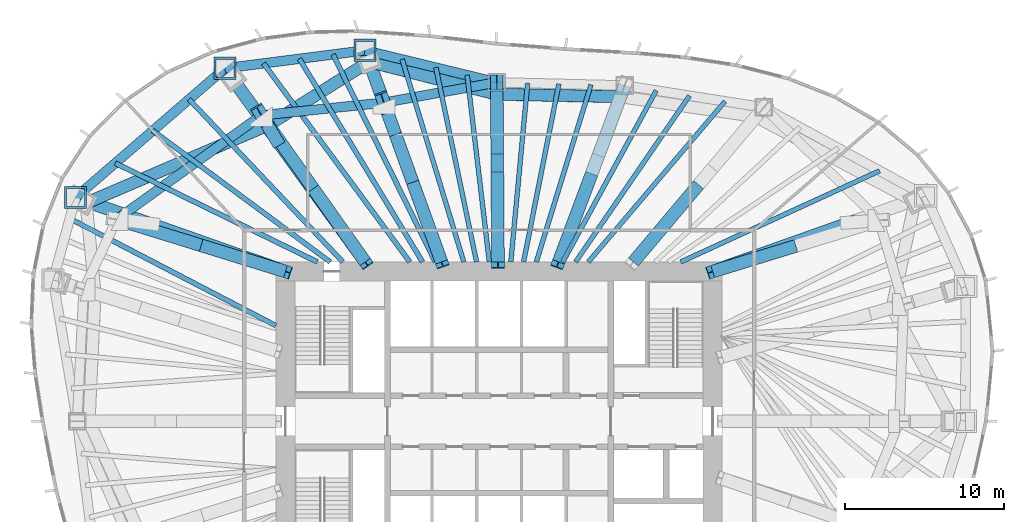
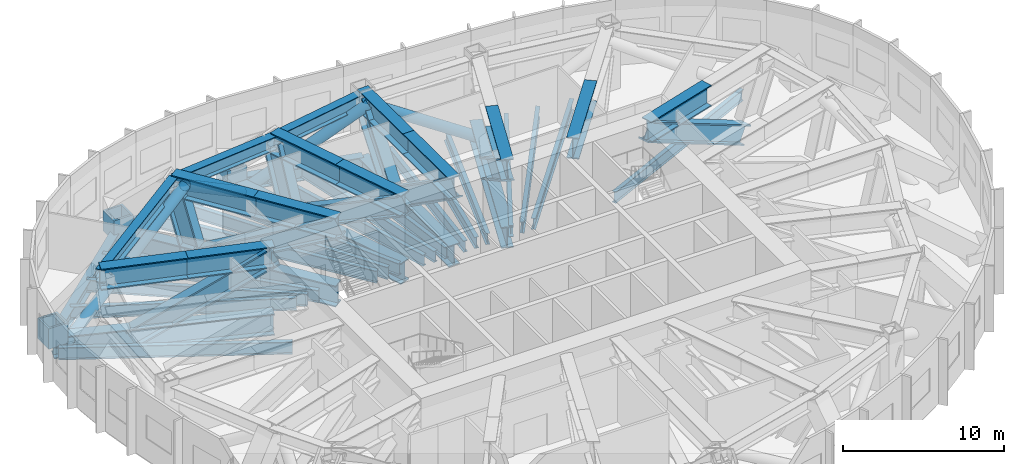
# One storey, part 4 of 12: 35 members, 20 beams.
"""IFC4 building model written with IfcOpenShell, lengths in metres."""

from ifc_helpers import new_model, si_unit, direction, frame, origin, origin_2d, place, context, subcontext, project, spatial, hollow_rectangle, hollow_circle, i_section, extrude, material, material_profile, profile_set, type_object, element, save


model = new_model("IFC4")

# Units and contexts
model_context = context("Model", 3, precision=1e-05, world=origin(), true_north=direction((0.0, 1.0)))
body_context = subcontext(model_context, "Body", "Model", "MODEL_VIEW")
ifc_project = project(units=[si_unit("LENGTHUNIT", "METRE"), si_unit("AREAUNIT", "SQUARE_METRE"), si_unit("VOLUMEUNIT", "CUBIC_METRE"), si_unit("PLANEANGLEUNIT", "RADIAN"), si_unit("MASSUNIT", "GRAM", prefix="KILO")], contexts=[model_context])

# Site, building, storey
site_placement = place(None, origin())
site = spatial("IfcSite", under=ifc_project, at=site_placement, CompositionType="ELEMENT")
building_placement = place(site_placement, origin())
building = spatial("IfcBuilding", under=site, at=building_placement, Name="Ghaith Harvest Tower", CompositionType="ELEMENT")
storey_placement = place(building_placement, frame((0.0, 0.0, 189.800048828125)))
storey = spatial("IfcBuildingStorey", under=building, at=storey_placement, Name="L41", CompositionType="ELEMENT", Elevation=189.800048828125)

# Members
ifc_material_1 = material(Name="Steel S460", Category="steel")
ifc_material_profile_1 = material_profile(ifc_material_1, i_section(OverallWidth=0.60009765625, OverallDepth=1.0, WebThickness=0.02490234375, FlangeThickness=0.050048828125, at=origin_2d()), Name="PG1000X600X25X50")
ifc_profile_set_1 = profile_set([ifc_material_profile_1], Name="Steel S460")
member_type_1 = type_object("IfcMemberType", Name="BCPG1000-600-25-50 PG1000X600X25X50", PredefinedType="CHORD", material=ifc_profile_set_1)
member_1_placement = place(storey_placement, frame((-0.14599609375, 21.27099609375, 4.030029296875), z_axis=(-0.984177047684, -0.177187863051, 0.0), x_axis=(0.177187863051, -0.984177047684, 0.0)))
element("IfcMember", 1, at=member_1_placement, inside=storey, type_object=member_type_1, Name="Belt truss BT06 top chord", PredefinedType="CHORD", context=body_context, shape_type="SweptSolid", body=[
    extrude(i_section(OverallWidth=0.60009765625, OverallDepth=1.0, WebThickness=0.02490234375, FlangeThickness=0.050048828125, at=origin_2d()), origin(), (0.0, 0.0, 1.0), 7.189697265625),
])
member_2_placement = place(storey_placement, frame((-7.221923828125, 19.9970703125, 4.030029296875), z_axis=(-0.994669141618, -0.103117887451, 0.0), x_axis=(0.103117887451, -0.994669141618, 0.0)))
element("IfcMember", 2, at=member_2_placement, inside=storey, type_object=member_type_1, Name="Belt truss BT07 top chord", PredefinedType="CHORD", context=body_context, shape_type="SweptSolid", body=[
    extrude(i_section(OverallWidth=0.60009765625, OverallDepth=1.0, WebThickness=0.02490234375, FlangeThickness=0.050048828125, at=origin_2d()), origin(), (0.0, 0.0, 1.0), 7.730224609375),
])
member_3_placement = place(storey_placement, frame((-14.910888671875, 19.199951171875, 4.030029296875), z_axis=(-0.812050311838, -0.583587432219, 0.0), x_axis=(0.583587432219, -0.812050311838, 0.0)))
element("IfcMember", 3, at=member_3_placement, inside=storey, type_object=member_type_1, Name="Belt truss BT08 top chord", PredefinedType="CHORD", context=body_context, shape_type="SweptSolid", body=[
    extrude(i_section(OverallWidth=0.60009765625, OverallDepth=1.0, WebThickness=0.02490234375, FlangeThickness=0.050048828125, at=origin_2d()), origin(), (0.0, 0.0, 1.0), 11.175537109375),
])
ifc_material_2 = material(Name="Steel ASTM A992 Grade 50", Category="steel")
ifc_material_profile_2 = material_profile(ifc_material_2, hollow_circle(Radius=0.381103515625, WallThickness=0.01904296875, at=origin_2d()), Name="HSS762X19.1")
ifc_profile_set_2 = profile_set([ifc_material_profile_2], Name="Steel ASTM A992 Grade 50")
member_type_2 = type_object("IfcMemberType", Name="BD762 HSS762X19.1", PredefinedType="BRACE", material=ifc_profile_set_2)
member_4_placement = place(storey_placement, frame((7.615478515625, 20.369384765625, -1.10009765625), z_axis=(-0.833957459062, 0.016301151466, 0.551587915872), x_axis=(-0.019543009117, -0.99980901716, 0.0)))
element("IfcMember", 4, at=member_4_placement, inside=storey, type_object=member_type_2, Name="Belt truss BT05 diagonal", PredefinedType="BRACE", context=body_context, shape_type="SweptSolid", body=[
    extrude(hollow_circle(Radius=0.381103515625, WallThickness=0.01904296875, at=origin_2d()), origin(), (0.0, 0.0, 1.0), 9.300537109375),
])
member_5_placement = place(storey_placement, frame((-0.140869140625, 20.52099609375, 4.030029296875), z_axis=(-0.823241364278, 0.210614714851, -0.527176534028), x_axis=(-0.247853227276, -0.968797593788, 0.0)))
element("IfcMember", 5, at=member_5_placement, inside=storey, type_object=member_type_2, Name="Belt truss BT06 diagonal", PredefinedType="BRACE", context=body_context, shape_type="SweptSolid", body=[
    extrude(hollow_circle(Radius=0.381103515625, WallThickness=0.01904296875, at=origin_2d()), origin(), (0.0, 0.0, 1.0), 9.7314453125),
])
member_6_placement = place(storey_placement, frame((-8.152099609375, 22.570556640625, -1.10009765625), z_axis=(-0.696873907541, -0.438436328186, 0.567574086014), x_axis=(0.532520876599, -0.846416868916, 0.0)))
element("IfcMember", 6, at=member_6_placement, inside=storey, type_object=member_type_2, Name="Belt truss BT07 diagonal", PredefinedType="BRACE", context=body_context, shape_type="SweptSolid", body=[
    extrude(hollow_circle(Radius=0.381103515625, WallThickness=0.01904296875, at=origin_2d()), origin(), (0.0, 0.0, 1.0), 9.03857421875),
])
member_7_placement = place(storey_placement, frame((-14.450927734375, 18.607666015625, 4.030029296875), z_axis=(-0.849967916465, -0.364354748579, -0.380526159636), x_axis=(0.393994925256, -0.919112614902, 0.0)))
element("IfcMember", 7, at=member_7_placement, inside=storey, type_object=member_type_2, Name="Belt truss BT08 diagonal", PredefinedType="BRACE", context=body_context, shape_type="SweptSolid", body=[
    extrude(hollow_circle(Radius=0.381103515625, WallThickness=0.01904296875, at=origin_2d()), origin(), (0.0, 0.0, 1.0), 13.481689453125),
])

# Beams
ifc_material_3 = material(Name="Steel S460", Category="steel")
ifc_material_profile_3 = material_profile(ifc_material_3, i_section(OverallWidth=0.60009765625, OverallDepth=1.0, WebThickness=0.02490234375, FlangeThickness=0.050048828125, at=origin_2d()), Name="PG1000X600X25X50")
ifc_profile_set_3 = profile_set([ifc_material_profile_3], Name="Steel S460")
beam_type_1 = type_object("IfcBeamType", Name="EPG1000 PG1000X600X25X50", PredefinedType="SPANDREL", material=ifc_profile_set_3)
beam_1_placement = place(storey_placement, frame((-0.14599609375, 21.27099609375, -0.800048828125), z_axis=(-0.971790293477, 0.235846614358, 0.0), x_axis=(-0.235846614358, -0.971790293477, 0.0)))
element("IfcBeam", 8, at=beam_1_placement, inside=storey, type_object=beam_type_1, Name="Edge beam E06 L41", PredefinedType="SPANDREL", context=body_context, shape_type="SweptSolid", body=[
    extrude(i_section(OverallWidth=0.60009765625, OverallDepth=1.0, WebThickness=0.02490234375, FlangeThickness=0.050048828125, at=origin_2d()), origin(), (0.0, 0.0, 1.0), 8.500732421875),
])
beam_2_placement = place(storey_placement, frame((-8.406982421875, 23.27587890625, -0.800048828125), z_axis=(-0.991904090065, -0.126989275577, 0.0), x_axis=(0.126989275577, -0.991904090065, 0.0)))
element("IfcBeam", 9, at=beam_2_placement, inside=storey, type_object=beam_type_1, Name="Edge beam E07 L41", PredefinedType="SPANDREL", context=body_context, shape_type="SweptSolid", body=[
    extrude(i_section(OverallWidth=0.60009765625, OverallDepth=1.0, WebThickness=0.02490234375, FlangeThickness=0.050048828125, at=origin_2d()), origin(), (0.0, 0.0, 1.0), 8.86669921875),
])
beam_3_placement = place(storey_placement, frame((-17.201904296875, 22.14990234375, -0.800048828125), z_axis=(-0.756392158274, -0.654118416574, 0.0), x_axis=(0.654118416574, -0.756392158274, 0.0)))
element("IfcBeam", 10, at=beam_3_placement, inside=storey, type_object=beam_type_1, Name="Edge beam E08 L41", PredefinedType="SPANDREL", context=body_context, shape_type="SweptSolid", body=[
    extrude(i_section(OverallWidth=0.60009765625, OverallDepth=1.0, WebThickness=0.02490234375, FlangeThickness=0.050048828125, at=origin_2d()), origin(), (0.0, 0.0, 1.0), 12.38916015625),
])
ifc_material_4 = material(Name="Steel ASTM A992 Grade 50", Category="steel")
ifc_material_profile_4 = material_profile(ifc_material_4, i_section(OverallWidth=0.2939453125, OverallDepth=0.85107421875, WebThickness=0.01611328125, FlangeThickness=0.02685546875, at=origin_2d()), Name="W840X226")
ifc_profile_set_4 = profile_set([ifc_material_profile_4], Name="Steel ASTM A992 Grade 50")
beam_type_2 = type_object("IfcBeamType", Name="J840-226 W840X226", PredefinedType="JOIST", material=ifc_profile_set_4)
beam_4_placement = place(storey_placement, frame((11.39990234375, 10.0, -0.7255859375), z_axis=(0.909014022454, 0.416765529983, 0.0), x_axis=(-0.416765529983, 0.909014022454, 0.0)))
element("IfcBeam", 11, at=beam_4_placement, inside=storey, type_object=beam_type_2, Name="Joist J03.1 L41", PredefinedType="JOIST", context=body_context, shape_type="SweptSolid", body=[
    extrude(i_section(OverallWidth=0.2939453125, OverallDepth=0.85107421875, WebThickness=0.01611328125, FlangeThickness=0.02685546875, at=origin_2d()), origin(), (0.0, 0.0, 1.0), 13.72998046875),
])
beam_5_placement = place(storey_placement, frame((5.60009765625, 10.0, -0.7255859375), z_axis=(0.648194422444, 0.761474878582, 0.0), x_axis=(-0.761474878582, 0.648194422444, 0.0)))
element("IfcBeam", 12, at=beam_5_placement, inside=storey, type_object=beam_type_2, Name="Joist J04.1 L41", PredefinedType="JOIST", context=body_context, shape_type="SweptSolid", body=[
    extrude(i_section(OverallWidth=0.2939453125, OverallDepth=0.85107421875, WebThickness=0.01611328125, FlangeThickness=0.02685546875, at=origin_2d()), origin(), (0.0, 0.0, 1.0), 13.235107421875),
])
beam_6_placement = place(storey_placement, frame((4.800048828125, 10.0, -0.7255859375), z_axis=(0.565277671826, 0.824900693256, 0.0), x_axis=(-0.824900693256, 0.565277671826, 0.0)))
element("IfcBeam", 13, at=beam_6_placement, inside=storey, type_object=beam_type_2, Name="Joist J04.2 L41", PredefinedType="JOIST", context=body_context, shape_type="SweptSolid", body=[
    extrude(i_section(OverallWidth=0.2939453125, OverallDepth=0.85107421875, WebThickness=0.01611328125, FlangeThickness=0.02685546875, at=origin_2d()), origin(), (0.0, 0.0, 1.0), 12.64404296875),
])
beam_7_placement = place(storey_placement, frame((4.0, 10.0, -0.7255859375), z_axis=(0.478357824489, 0.878165013964, 0.0), x_axis=(-0.878165013964, 0.478357824489, 0.0)))
element("IfcBeam", 14, at=beam_7_placement, inside=storey, type_object=beam_type_2, Name="Joist J04.3 L41", PredefinedType="JOIST", context=body_context, shape_type="SweptSolid", body=[
    extrude(i_section(OverallWidth=0.2939453125, OverallDepth=0.85107421875, WebThickness=0.01611328125, FlangeThickness=0.02685546875, at=origin_2d()), origin(), (0.0, 0.0, 1.0), 12.251953125),
])
beam_8_placement = place(storey_placement, frame((2.33837890625, 10.0, -0.7255859375), z_axis=(0.294698851552, 0.955590177269, 0.0), x_axis=(-0.955590177269, 0.294698851552, 0.0)))
element("IfcBeam", 15, at=beam_8_placement, inside=storey, type_object=beam_type_2, Name="Joist J05.1 L41", PredefinedType="JOIST", context=body_context, shape_type="SweptSolid", body=[
    extrude(i_section(OverallWidth=0.2939453125, OverallDepth=0.85107421875, WebThickness=0.01611328125, FlangeThickness=0.02685546875, at=origin_2d()), origin(), (0.0, 0.0, 1.0), 11.641357421875),
])
beam_9_placement = place(storey_placement, frame((1.538330078125, 10.0, -0.7255859375), z_axis=(0.194467299131, 0.980909001676, 0.0), x_axis=(-0.980909001676, 0.194467299131, 0.0)))
element("IfcBeam", 16, at=beam_9_placement, inside=storey, type_object=beam_type_2, Name="Joist J05.2 L41", PredefinedType="JOIST", context=body_context, shape_type="SweptSolid", body=[
    extrude(i_section(OverallWidth=0.2939453125, OverallDepth=0.85107421875, WebThickness=0.01611328125, FlangeThickness=0.02685546875, at=origin_2d()), origin(), (0.0, 0.0, 1.0), 11.391845703125),
])
beam_10_placement = place(storey_placement, frame((0.73828125, 10.0, -0.7255859375), z_axis=(0.093607062293, 0.995609219468, 0.0), x_axis=(-0.995609219468, 0.093607062293, 0.0)))
element("IfcBeam", 17, at=beam_10_placement, inside=storey, type_object=beam_type_2, Name="Joist J05.3 L41", PredefinedType="JOIST", context=body_context, shape_type="SweptSolid", body=[
    extrude(i_section(OverallWidth=0.2939453125, OverallDepth=0.85107421875, WebThickness=0.01611328125, FlangeThickness=0.02685546875, at=origin_2d()), origin(), (0.0, 0.0, 1.0), 11.2724609375),
])
beam_11_placement = place(storey_placement, frame((-0.61181640625, 10.0, -0.7255859375), z_axis=(-0.117555323743, 0.993066335075, 0.0), x_axis=(-0.993066335075, -0.117555323743, 0.0)))
element("IfcBeam", 18, at=beam_11_placement, inside=storey, type_object=beam_type_2, Name="Joist J06.1 L41", PredefinedType="JOIST", context=body_context, shape_type="SweptSolid", body=[
    extrude(i_section(OverallWidth=0.2939453125, OverallDepth=0.85107421875, WebThickness=0.01611328125, FlangeThickness=0.02685546875, at=origin_2d()), origin(), (0.0, 0.0, 1.0), 11.802490234375),
])
beam_12_placement = place(storey_placement, frame((-1.411865234375, 10.0, -0.7255859375), z_axis=(-0.204803792152, 0.978803047972, 0.0), x_axis=(-0.978803047972, -0.204803792152, 0.0)))
element("IfcBeam", 19, at=beam_12_placement, inside=storey, type_object=beam_type_2, Name="Joist J06.2 L41", PredefinedType="JOIST", context=body_context, shape_type="SweptSolid", body=[
    extrude(i_section(OverallWidth=0.2939453125, OverallDepth=0.85107421875, WebThickness=0.01611328125, FlangeThickness=0.02685546875, at=origin_2d()), origin(), (0.0, 0.0, 1.0), 12.4619140625),
])
beam_13_placement = place(storey_placement, frame((-2.2119140625, 10.0, -0.7255859375), z_axis=(-0.291271281248, 0.956640497115, 0.0), x_axis=(-0.956640497115, -0.291271281248, 0.0)))
element("IfcBeam", 20, at=beam_13_placement, inside=storey, type_object=beam_type_2, Name="Joist J06.3 L41", PredefinedType="JOIST", context=body_context, shape_type="SweptSolid", body=[
    extrude(i_section(OverallWidth=0.2939453125, OverallDepth=0.85107421875, WebThickness=0.01611328125, FlangeThickness=0.02685546875, at=origin_2d()), origin(), (0.0, 0.0, 1.0), 13.287841796875),
])
ifc_material_5 = material(Name="Steel ASTM A992 Grade 50", Category="steel")
ifc_material_profile_5 = material_profile(ifc_material_5, i_section(OverallWidth=0.31005859375, OverallDepth=0.927001953125, WebThickness=0.019287109375, FlangeThickness=0.031982421875, at=origin_2d()), Name="W920X289")
ifc_profile_set_5 = profile_set([ifc_material_profile_5], Name="Steel ASTM A992 Grade 50")
beam_type_3 = type_object("IfcBeamType", Name="J920-289 W920X289", PredefinedType="JOIST", material=ifc_profile_set_5)
beam_14_placement = place(storey_placement, frame((-4.0, 10.0, -0.763427734375), z_axis=(-0.442214455448, 0.896909346251, 0.0), x_axis=(-0.896909346251, -0.442214455448, 0.0)))
element("IfcBeam", 21, at=beam_14_placement, inside=storey, type_object=beam_type_3, Name="Joist J07.1 L41", PredefinedType="JOIST", context=body_context, shape_type="SweptSolid", body=[
    extrude(i_section(OverallWidth=0.31005859375, OverallDepth=0.927001953125, WebThickness=0.019287109375, FlangeThickness=0.031982421875, at=origin_2d()), origin(), (0.0, 0.0, 1.0), 14.514892578125),
])
beam_15_placement = place(storey_placement, frame((-4.800048828125, 10.0, -0.763427734375), z_axis=(-0.51847337083, 0.855093774822, 0.0), x_axis=(-0.855093774822, -0.51847337083, 0.0)))
element("IfcBeam", 22, at=beam_15_placement, inside=storey, type_object=beam_type_3, Name="Joist J07.2 L41", PredefinedType="JOIST", context=body_context, shape_type="SweptSolid", body=[
    extrude(i_section(OverallWidth=0.31005859375, OverallDepth=0.927001953125, WebThickness=0.019287109375, FlangeThickness=0.031982421875, at=origin_2d()), origin(), (0.0, 0.0, 1.0), 14.90869140625),
])
beam_16_placement = place(storey_placement, frame((-5.60009765625, 10.0, -0.763427734375), z_axis=(-0.592984827174, 0.805213632983, 0.0), x_axis=(-0.805213632983, -0.592984827174, 0.0)))
element("IfcBeam", 23, at=beam_16_placement, inside=storey, type_object=beam_type_3, Name="Joist J07.3 L41", PredefinedType="JOIST", context=body_context, shape_type="SweptSolid", body=[
    extrude(i_section(OverallWidth=0.31005859375, OverallDepth=0.927001953125, WebThickness=0.019287109375, FlangeThickness=0.031982421875, at=origin_2d()), origin(), (0.0, 0.0, 1.0), 15.474609375),
])
beam_17_placement = place(storey_placement, frame((-9.800048828125, 10.0, -0.763427734375), z_axis=(-0.687103155579, 0.726559876124, 0.0), x_axis=(-0.726559876124, -0.687103155579, 0.0)))
element("IfcBeam", 24, at=beam_17_placement, inside=storey, type_object=beam_type_3, Name="Joist J08.1 L41", PredefinedType="JOIST", context=body_context, shape_type="SweptSolid", body=[
    extrude(i_section(OverallWidth=0.31005859375, OverallDepth=0.927001953125, WebThickness=0.019287109375, FlangeThickness=0.031982421875, at=origin_2d()), origin(), (0.0, 0.0, 1.0), 14.045654296875),
])
beam_18_placement = place(storey_placement, frame((-10.60009765625, 10.0, -0.763427734375), z_axis=(-0.803663089107, 0.595084564752, 0.0), x_axis=(-0.595084564752, -0.803663089107, 0.0)))
element("IfcBeam", 25, at=beam_18_placement, inside=storey, type_object=beam_type_3, Name="Joist J08.2 L41", PredefinedType="JOIST", context=body_context, shape_type="SweptSolid", body=[
    extrude(i_section(OverallWidth=0.31005859375, OverallDepth=0.927001953125, WebThickness=0.019287109375, FlangeThickness=0.031982421875, at=origin_2d()), origin(), (0.0, 0.0, 1.0), 13.843505859375),
])
beam_19_placement = place(storey_placement, frame((-11.39990234375, 10.0, -0.763427734375), z_axis=(-0.898274832354, 0.439434096946, 0.0), x_axis=(-0.439434096946, -0.898274832354, 0.0)))
element("IfcBeam", 26, at=beam_19_placement, inside=storey, type_object=beam_type_3, Name="Joist J08.3 L41", PredefinedType="JOIST", context=body_context, shape_type="SweptSolid", body=[
    extrude(i_section(OverallWidth=0.31005859375, OverallDepth=0.927001953125, WebThickness=0.019287109375, FlangeThickness=0.031982421875, at=origin_2d()), origin(), (0.0, 0.0, 1.0), 14.114990234375),
])
beam_20_placement = place(storey_placement, frame((-14.0, 6.0, -0.763427734375), z_axis=(-0.887199250572, 0.461386486347, 0.0), x_axis=(-0.461386486347, -0.887199250572, 0.0)))
element("IfcBeam", 27, at=beam_20_placement, inside=storey, type_object=beam_type_3, Name="Joist J09.1 L41", PredefinedType="JOIST", context=body_context, shape_type="SweptSolid", body=[
    extrude(i_section(OverallWidth=0.31005859375, OverallDepth=0.927001953125, WebThickness=0.019287109375, FlangeThickness=0.031982421875, at=origin_2d()), origin(), (0.0, 0.0, 1.0), 14.576904296875),
])

# Members
ifc_material_6 = material(Name="Steel S690QL", Category="steel")
ifc_material_profile_6 = material_profile(ifc_material_6, hollow_rectangle(XDim=1.39990234375, YDim=1.39990234375, WallThickness=0.139892578125, at=origin_2d()), Name="BOX1400X1400X140")
ifc_profile_set_6 = profile_set([ifc_material_profile_6], Name="Steel S690QL")
member_type_3 = type_object("IfcMemberType", Name="KN2 BOX1400X1400X140", PredefinedType="USERDEFINED", material=ifc_profile_set_6)
for number, where, z_axis, x_axis, name in (
    (28, (-8.406982421875, 23.27587890625, -0.775146484375), (0.0, 0.0, 1.0), (1.0, 0.0, 0.0), "Raked column kink node C07 base L41"),
    (29, (-17.201904296875, 22.14990234375, -0.775146484375), (0.0, 0.0, 1.0), (1.0, 0.0, 0.0), "Raked column kink node C08 base L41"),
    (30, (-26.572998046875, 14.0458984375, -0.775146484375), (0.0, 0.0, 1.0), (1.0, 0.0, 0.0), "Raked column kink node C09 base L41"),
):
    element("IfcMember", number, at=place(storey_placement, frame(where, z_axis=z_axis, x_axis=x_axis)), inside=storey, type_object=member_type_3, Name=name, ObjectType="KINK NODE", PredefinedType="USERDEFINED", context=body_context, shape_type="SweptSolid", body=[
        extrude(hollow_rectangle(XDim=1.39990234375, YDim=1.39990234375, WallThickness=0.139892578125, at=origin_2d()), origin(), (0.0, 0.0, 1.0), 1.550048828125),
    ])
ifc_material_7 = material(Name="Steel S460", Category="steel")
ifc_material_profile_7 = material_profile(ifc_material_7, i_section(OverallWidth=0.800048828125, OverallDepth=1.60009765625, WebThickness=0.0400390625, FlangeThickness=0.080078125, at=origin_2d()), Name="PG1600X800X40X80")
ifc_profile_set_7 = profile_set([ifc_material_profile_7], Name="Steel S460")
member_type_4 = type_object("IfcMemberType", Name="OC1600 PG1600X800X40X80", PredefinedType="CHORD", material=ifc_profile_set_7)
member_8_placement = place(storey_placement, frame((13.39990234375, 9.39990234375, 4.030029296875), z_axis=(0.956010465619, 0.293332558076, 0.0), x_axis=(-0.293332558076, 0.956010465619, 0.0)))
element("IfcMember", 31, at=member_8_placement, inside=storey, type_object=member_type_4, Name="Outrigger truss OT03 top chord 1", PredefinedType="CHORD", context=body_context, shape_type="SweptSolid", body=[
    extrude(i_section(OverallWidth=0.800048828125, OverallDepth=1.60009765625, WebThickness=0.0400390625, FlangeThickness=0.080078125, at=origin_2d()), origin(), (0.0, 0.0, 1.0), 5.466552734375),
])
member_9_placement = place(storey_placement, frame((8.4326171875, 10.0, 4.030029296875), z_axis=(0.644676234282, 0.764455723343, 0.0), x_axis=(-0.764455723343, 0.644676234282, 0.0)))
element("IfcMember", 32, at=member_9_placement, inside=storey, type_object=member_type_4, Name="Outrigger truss OT04 top chord 1", PredefinedType="CHORD", context=body_context, shape_type="SweptSolid", body=[
    extrude(i_section(OverallWidth=0.800048828125, OverallDepth=1.60009765625, WebThickness=0.0400390625, FlangeThickness=0.080078125, at=origin_2d()), origin(), (0.0, 0.0, 1.0), 6.341064453125),
])
member_10_placement = place(storey_placement, frame((3.73828125, 10.0, -1.10009765625), z_axis=(0.350206582147, 0.936672488024, 0.0), x_axis=(-0.936672488024, 0.350206582147, 0.0)))
element("IfcMember", 33, at=member_10_placement, inside=storey, type_object=member_type_4, Name="Outrigger truss OT05 bottom chord", PredefinedType="CHORD", context=body_context, shape_type="SweptSolid", body=[
    extrude(i_section(OverallWidth=0.800048828125, OverallDepth=1.60009765625, WebThickness=0.0400390625, FlangeThickness=0.080078125, at=origin_2d()), origin(), (0.0, 0.0, 1.0), 11.820556640625),
])
member_11_placement = place(storey_placement, frame((3.73828125, 10.0, 4.030029296875), z_axis=(0.350213357326, 0.936669954867, 0.0), x_axis=(-0.936669954867, 0.350213357326, 0.0)))
element("IfcMember", 34, at=member_11_placement, inside=storey, type_object=member_type_4, Name="Outrigger truss OT05 top chord 1", PredefinedType="CHORD", context=body_context, shape_type="SweptSolid", body=[
    extrude(i_section(OverallWidth=0.800048828125, OverallDepth=1.60009765625, WebThickness=0.0400390625, FlangeThickness=0.080078125, at=origin_2d()), origin(), (0.0, 0.0, 1.0), 5.91015625),
])
member_12_placement = place(storey_placement, frame((-0.068359375, 10.0, -1.10009765625), z_axis=(-0.006888022705, 0.99997627729, 0.0), x_axis=(-0.99997627729, -0.006888022705, 0.0)))
element("IfcMember", 35, at=member_12_placement, inside=storey, type_object=member_type_4, Name="Outrigger truss OT06 bottom chord", PredefinedType="CHORD", context=body_context, shape_type="SweptSolid", body=[
    extrude(i_section(OverallWidth=0.800048828125, OverallDepth=1.60009765625, WebThickness=0.0400390625, FlangeThickness=0.080078125, at=origin_2d()), origin(), (0.0, 0.0, 1.0), 11.271240234375),
])
for number, where, z_axis, x_axis, name in (
    (36, (-0.068359375, 10.0, 4.030029296875), (-0.006888022705, 0.99997627729, 0.0), (-0.99997627729, -0.006888022705, 0.0), "Outrigger truss OT06 top chord 1"),
    (37, (-0.107177734375, 15.635498046875, 4.030029296875), (-0.006888022705, 0.99997627729, 0.0), (-0.99997627729, -0.006888022705, 0.0), "Outrigger truss OT06 top chord 2"),
):
    element("IfcMember", number, at=place(storey_placement, frame(where, z_axis=z_axis, x_axis=x_axis)), inside=storey, type_object=member_type_4, Name=name, PredefinedType="CHORD", context=body_context, shape_type="SweptSolid", body=[
        extrude(i_section(OverallWidth=0.800048828125, OverallDepth=1.60009765625, WebThickness=0.0400390625, FlangeThickness=0.080078125, at=origin_2d()), origin(), (0.0, 0.0, 1.0), 5.6357421875),
    ])
member_13_placement = place(storey_placement, frame((-3.61181640625, 10.0, -1.10009765625), z_axis=(-0.339713316819, 0.940529033245, 0.0), x_axis=(-0.940529033245, -0.339713316819, 0.0)))
element("IfcMember", 38, at=member_13_placement, inside=storey, type_object=member_type_4, Name="Outrigger truss OT07 bottom chord", PredefinedType="CHORD", context=body_context, shape_type="SweptSolid", body=[
    extrude(i_section(OverallWidth=0.800048828125, OverallDepth=1.60009765625, WebThickness=0.0400390625, FlangeThickness=0.080078125, at=origin_2d()), origin(), (0.0, 0.0, 1.0), 14.115234375),
])
for number, where, z_axis, x_axis, name in (
    (39, (-3.61181640625, 10.0, 4.030029296875), (-0.339669298673, 0.940544931164, 0.0), (-0.940544931164, -0.339669298673, 0.0), "Outrigger truss OT07 top chord 1"),
    (40, (-5.4169921875, 14.99853515625, 4.030029296875), (-0.339628659383, 0.940559606684, 0.0), (-0.940559606684, -0.339628659383, 0.0), "Outrigger truss OT07 top chord 2"),
):
    element("IfcMember", number, at=place(storey_placement, frame(where, z_axis=z_axis, x_axis=x_axis)), inside=storey, type_object=member_type_4, Name=name, PredefinedType="CHORD", context=body_context, shape_type="SweptSolid", body=[
        extrude(i_section(OverallWidth=0.800048828125, OverallDepth=1.60009765625, WebThickness=0.0400390625, FlangeThickness=0.080078125, at=origin_2d()), origin(), (0.0, 0.0, 1.0), 5.314453125),
    ])
member_14_placement = place(storey_placement, frame((-8.39990234375, 10.0, -1.10009765625), z_axis=(-0.586675813287, 0.809821887889, 0.0), x_axis=(-0.809821887889, -0.586675813287, 0.0)))
element("IfcMember", 41, at=member_14_placement, inside=storey, type_object=member_type_4, Name="Outrigger truss OT08 bottom chord", PredefinedType="CHORD", context=body_context, shape_type="SweptSolid", body=[
    extrude(i_section(OverallWidth=0.800048828125, OverallDepth=1.60009765625, WebThickness=0.0400390625, FlangeThickness=0.080078125, at=origin_2d()), origin(), (0.0, 0.0, 1.0), 15.003173828125),
])
member_15_placement = place(storey_placement, frame((-8.39990234375, 10.0, 4.030029296875), z_axis=(-0.577687952562, 0.816257697951, 0.0), x_axis=(-0.816257697951, -0.577687952562, 0.0)))
element("IfcMember", 42, at=member_15_placement, inside=storey, type_object=member_type_4, Name="Outrigger truss OT08 top chord 1", PredefinedType="CHORD", context=body_context, shape_type="SweptSolid", body=[
    extrude(i_section(OverallWidth=0.800048828125, OverallDepth=1.60009765625, WebThickness=0.0400390625, FlangeThickness=0.080078125, at=origin_2d()), origin(), (0.0, 0.0, 1.0), 5.635498046875),
])
member_16_placement = place(storey_placement, frame((-11.655517578125, 14.60009765625, 4.030029296875), z_axis=(-0.577679515898, 0.816263668744, 0.0), x_axis=(-0.816263668744, -0.577679515898, 0.0)))
element("IfcMember", 43, at=member_16_placement, inside=storey, type_object=member_type_4, Name="Outrigger truss OT08 top chord 2", PredefinedType="CHORD", context=body_context, shape_type="SweptSolid", body=[
    extrude(i_section(OverallWidth=0.800048828125, OverallDepth=1.60009765625, WebThickness=0.0400390625, FlangeThickness=0.080078125, at=origin_2d()), origin(), (0.0, 0.0, 1.0), 5.63525390625),
])
member_17_placement = place(storey_placement, frame((-13.39990234375, 9.39990234375, -1.10009765625), z_axis=(-0.943065169723, 0.332608006001, 0.0), x_axis=(-0.332608006001, -0.943065169723, 0.0)))
element("IfcMember", 44, at=member_17_placement, inside=storey, type_object=member_type_4, Name="Outrigger truss OT09 bottom chord", PredefinedType="CHORD", context=body_context, shape_type="SweptSolid", body=[
    extrude(i_section(OverallWidth=0.800048828125, OverallDepth=1.60009765625, WebThickness=0.0400390625, FlangeThickness=0.080078125, at=origin_2d()), origin(), (0.0, 0.0, 1.0), 13.96826171875),
])
member_18_placement = place(storey_placement, frame((-13.39990234375, 9.39990234375, 4.030029296875), z_axis=(-0.955245880002, 0.295812962425, 0.0), x_axis=(-0.295812962425, -0.955245880002, 0.0)))
element("IfcMember", 45, at=member_18_placement, inside=storey, type_object=member_type_4, Name="Outrigger truss OT09 top chord 1", PredefinedType="CHORD", context=body_context, shape_type="SweptSolid", body=[
    extrude(i_section(OverallWidth=0.800048828125, OverallDepth=1.60009765625, WebThickness=0.0400390625, FlangeThickness=0.080078125, at=origin_2d()), origin(), (0.0, 0.0, 1.0), 5.541259765625),
])
member_19_placement = place(storey_placement, frame((-18.693115234375, 11.0390625, 4.030029296875), z_axis=(-0.955254474634, 0.295785207021, 0.0), x_axis=(-0.295785207021, -0.955254474634, 0.0)))
element("IfcMember", 46, at=member_19_placement, inside=storey, type_object=member_type_4, Name="Outrigger truss OT09 top chord 2", PredefinedType="CHORD", context=body_context, shape_type="SweptSolid", body=[
    extrude(i_section(OverallWidth=0.800048828125, OverallDepth=1.60009765625, WebThickness=0.0400390625, FlangeThickness=0.080078125, at=origin_2d()), origin(), (0.0, 0.0, 1.0), 5.541015625),
])
ifc_material_8 = material(Name="Steel S460", Category="steel")
ifc_material_profile_8 = material_profile(ifc_material_8, i_section(OverallWidth=0.800048828125, OverallDepth=1.39990234375, WebThickness=0.050048828125, FlangeThickness=0.10009765625, at=origin_2d()), Name="PG1400X800X50X100")
ifc_profile_set_8 = profile_set([ifc_material_profile_8], Name="Steel S460")
member_type_5 = type_object("IfcMemberType", Name="OD1400 PG1400X800X50X100", PredefinedType="BRACE", material=ifc_profile_set_8)
member_20_placement = place(storey_placement, frame((13.39990234375, 9.39990234375, 4.030029296875), z_axis=(0.823400881805, 0.292486544648, -0.486274211781), x_axis=(-0.334726993776, 0.942315148789, 0.0)))
element("IfcMember", 47, at=member_20_placement, inside=storey, type_object=member_type_5, Name="Outrigger truss OT03 diagonal 1", PredefinedType="BRACE", context=body_context, shape_type="SweptSolid", body=[
    extrude(i_section(OverallWidth=0.800048828125, OverallDepth=1.39990234375, WebThickness=0.050048828125, FlangeThickness=0.10009765625, at=origin_2d()), origin(), (0.0, 0.0, 1.0), 10.5498046875),
])
member_21_placement = place(storey_placement, frame((3.73828125, 10.0, 4.030029296875), z_axis=(0.291267115447, 0.778984941857, -0.555289048892), x_axis=(-0.936665649404, 0.35022487237, 0.0)))
element("IfcMember", 48, at=member_21_placement, inside=storey, type_object=member_type_5, Name="Outrigger truss OT05 diagonal 1", PredefinedType="BRACE", context=body_context, shape_type="SweptSolid", body=[
    extrude(i_section(OverallWidth=0.800048828125, OverallDepth=1.39990234375, WebThickness=0.050048828125, FlangeThickness=0.10009765625, at=origin_2d()), origin(), (0.0, 0.0, 1.0), 9.23876953125),
])
member_22_placement = place(storey_placement, frame((-0.068359375, 10.0, 4.030029296875), z_axis=(-0.005650448354, 0.819123933376, -0.573588750068), x_axis=(-0.99997620854, -0.006897996373, 0.0)))
element("IfcMember", 49, at=member_22_placement, inside=storey, type_object=member_type_5, Name="Outrigger truss OT06 diagonal 1", PredefinedType="BRACE", context=body_context, shape_type="SweptSolid", body=[
    extrude(i_section(OverallWidth=0.800048828125, OverallDepth=1.39990234375, WebThickness=0.050048828125, FlangeThickness=0.10009765625, at=origin_2d()), origin(), (0.0, 0.0, 1.0), 8.94384765625),
])
member_23_placement = place(storey_placement, frame((-0.118896484375, 17.326171875, -1.10009765625), z_axis=(-0.004187518249, 0.60956684561, 0.792723612254), x_axis=(-0.999976404707, -0.006869499995, 0.0)))
element("IfcMember", 50, at=member_23_placement, inside=storey, type_object=member_type_5, Name="Outrigger truss OT06 diagonal 2", PredefinedType="BRACE", context=body_context, shape_type="SweptSolid", body=[
    extrude(i_section(OverallWidth=0.800048828125, OverallDepth=1.39990234375, WebThickness=0.050048828125, FlangeThickness=0.10009765625, at=origin_2d()), origin(), (0.0, 0.0, 1.0), 6.471435546875),
])
member_24_placement = place(storey_placement, frame((-3.61181640625, 10.0, 4.030029296875), z_axis=(-0.296515768731, 0.82091692344, -0.488030535626), x_axis=(-0.940526978814, -0.339719004654, 0.0)))
element("IfcMember", 51, at=member_24_placement, inside=storey, type_object=member_type_5, Name="Outrigger truss OT07 diagonal 1", PredefinedType="BRACE", context=body_context, shape_type="SweptSolid", body=[
    extrude(i_section(OverallWidth=0.800048828125, OverallDepth=1.39990234375, WebThickness=0.050048828125, FlangeThickness=0.10009765625, at=origin_2d()), origin(), (0.0, 0.0, 1.0), 10.511962890625),
])
member_25_placement = place(storey_placement, frame((-6.728759765625, 18.62939453125, -1.10009765625), z_axis=(-0.09248857648, 0.256495547248, 0.962110127513), x_axis=(-0.940711749957, -0.339207021584, 0.0)))
element("IfcMember", 52, at=member_25_placement, inside=storey, type_object=member_type_5, Name="Outrigger truss OT07 diagonal 2", PredefinedType="BRACE", context=body_context, shape_type="SweptSolid", body=[
    extrude(i_section(OverallWidth=0.800048828125, OverallDepth=1.39990234375, WebThickness=0.050048828125, FlangeThickness=0.10009765625, at=origin_2d()), origin(), (0.0, 0.0, 1.0), 5.332275390625),
])
member_26_placement = place(storey_placement, frame((-8.39990234375, 10.0, 4.030029296875), z_axis=(-0.519223905779, 0.716699590532, -0.465562275747), x_axis=(-0.809816207828, -0.586683653717, 0.0)))
element("IfcMember", 53, at=member_26_placement, inside=storey, type_object=member_type_5, Name="Outrigger truss OT08 diagonal 1", PredefinedType="BRACE", context=body_context, shape_type="SweptSolid", body=[
    extrude(i_section(OverallWidth=0.800048828125, OverallDepth=1.39990234375, WebThickness=0.050048828125, FlangeThickness=0.10009765625, at=origin_2d()), origin(), (0.0, 0.0, 1.0), 11.019287109375),
])
member_27_placement = place(storey_placement, frame((-14.121337890625, 17.8974609375, -1.10009765625), z_axis=(-0.147539451858, 0.243389912079, 0.958641466265), x_axis=(-0.855150462051, -0.518379867717, 0.0)))
element("IfcMember", 54, at=member_27_placement, inside=storey, type_object=member_type_5, Name="Outrigger truss OT08 diagonal 2", PredefinedType="BRACE", context=body_context, shape_type="SweptSolid", body=[
    extrude(i_section(OverallWidth=0.800048828125, OverallDepth=1.39990234375, WebThickness=0.050048828125, FlangeThickness=0.10009765625, at=origin_2d()), origin(), (0.0, 0.0, 1.0), 5.3515625),
])
member_28_placement = place(storey_placement, frame((-13.39990234375, 9.39990234375, 4.030029296875), z_axis=(-0.821061550471, 0.289590881026, -0.491929925868), x_axis=(-0.332620384977, -0.943060803712, 0.0)))
element("IfcMember", 55, at=member_28_placement, inside=storey, type_object=member_type_5, Name="Outrigger truss OT09 diagonal 1", PredefinedType="BRACE", context=body_context, shape_type="SweptSolid", body=[
    extrude(i_section(OverallWidth=0.800048828125, OverallDepth=1.39990234375, WebThickness=0.050048828125, FlangeThickness=0.10009765625, at=origin_2d()), origin(), (0.0, 0.0, 1.0), 10.428466796875),
])

save(model, "model.ifc")
